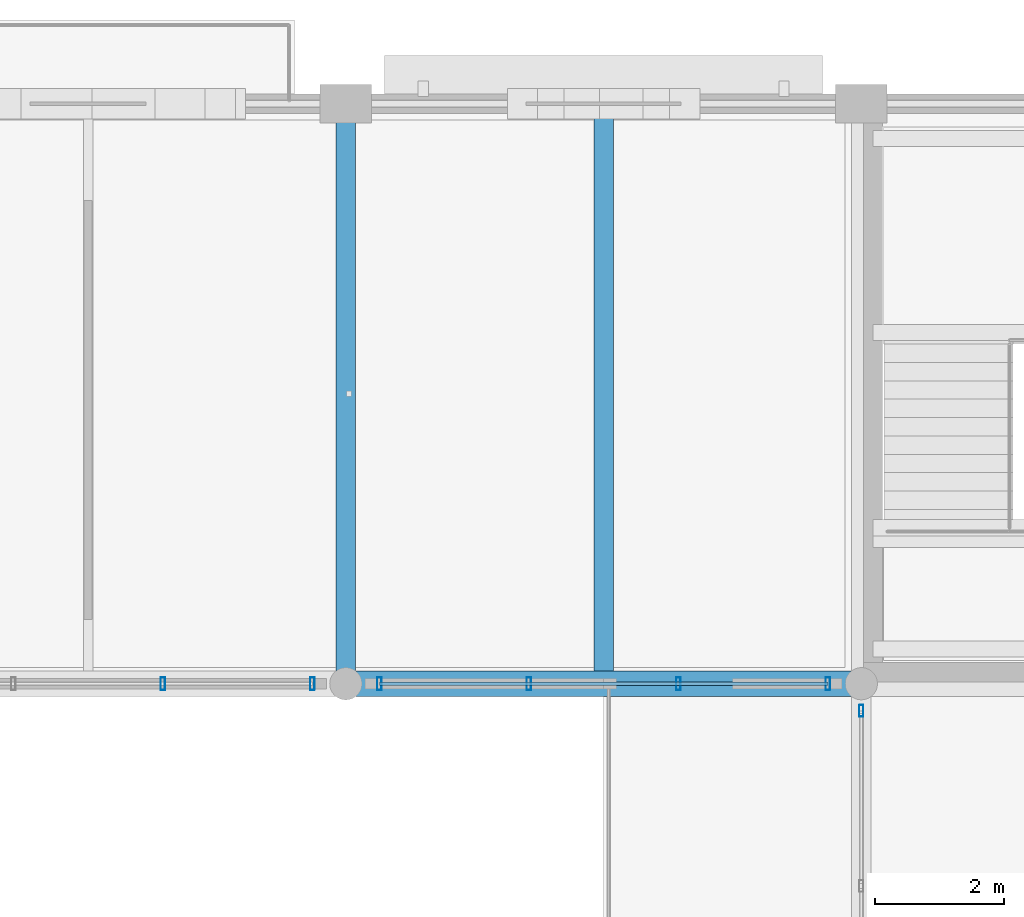
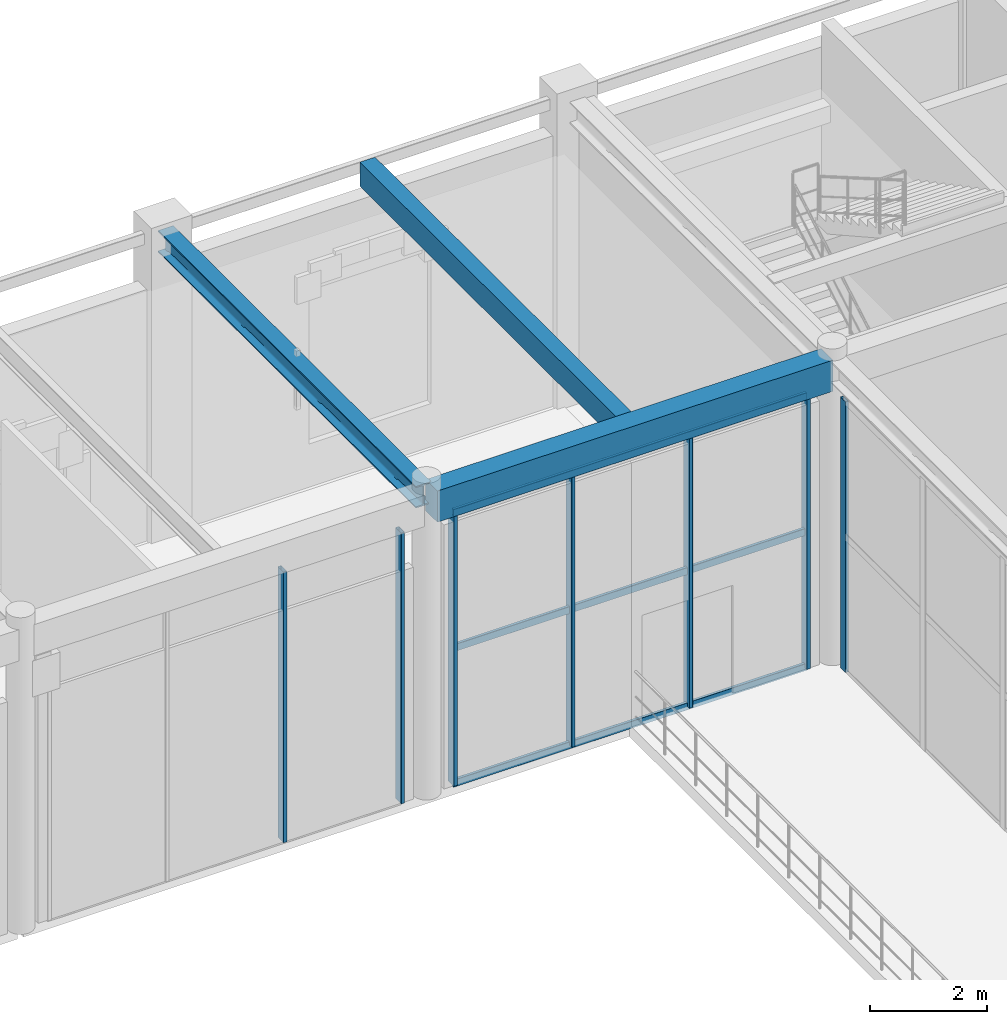
# One storey, part 91 of 163: 10 members, 3 beams, 3 elements without a shape of their own.
"""IFC4 building model written with IfcOpenShell, lengths in metres."""

from ifc_helpers import new_model, si_unit, direction, frame, origin, origin_2d, place, context, subcontext, project, spatial, rectangle, hollow_rectangle, i_section, extrude, material, material_profile, profile_set, type_object, element, aggregate, save


model = new_model("IFC4")

# Units and contexts
model_context = context("Model", 3, precision=1e-05, world=origin(), true_north=direction((0.0, 1.0)))
body_context = subcontext(model_context, "Body", "Model", "MODEL_VIEW")
ifc_project = project(units=[si_unit("LENGTHUNIT", "METRE"), si_unit("AREAUNIT", "SQUARE_METRE"), si_unit("VOLUMEUNIT", "CUBIC_METRE"), si_unit("PLANEANGLEUNIT", "RADIAN"), si_unit("MASSUNIT", "GRAM", prefix="KILO")], contexts=[model_context])

# Site, building, storey
site_placement = place(None, origin())
site = spatial("IfcSite", under=ifc_project, at=site_placement, CompositionType="ELEMENT")
building_placement = place(site_placement, origin())
building = spatial("IfcBuilding", under=site, at=building_placement, Name="Varnabhumi Central Station", CompositionType="ELEMENT")
storey_placement = place(building_placement, frame((0.0, 0.0, 9.60009765625)))
storey = spatial("IfcBuildingStorey", under=building, at=storey_placement, Name="L02", CompositionType="ELEMENT", Elevation=9.60009765625)

# Beams
ifc_material_1 = material(Name="Concrete M40", Category="concrete")
ifc_material_profile_1 = material_profile(ifc_material_1, rectangle(XDim=0.300048828125, YDim=0.5, at=origin_2d()), Name="Concrete M40", Category="concrete")
ifc_profile_set_1 = profile_set([ifc_material_profile_1], Name="Concrete M40")
beam_type_1 = type_object("IfcBeamType", Name="BM-RC-300x500", PredefinedType="JOIST", material=ifc_profile_set_1)
beam_1_placement = place(storey_placement, frame((76.0, 107.199951171875, 6.099853515625), z_axis=(0.0, 1.0, 0.0), x_axis=(-1.0, 0.0, 0.0)))
element("IfcBeam", 1, at=beam_1_placement, inside=storey, type_object=beam_type_1, Name="Secondary Joist L02-10/11:N-P", PredefinedType="JOIST", context=body_context, shape_type="SweptSolid", body=[
    extrude(rectangle(XDim=0.300048828125, YDim=0.5, at=origin_2d()), origin(), (0.0, 0.0, 1.0), 8.739990234375),
])
ifc_material_profile_2 = material_profile(ifc_material_1, rectangle(XDim=0.39990234375, YDim=0.64990234375, at=origin_2d()), Name="Concrete M40", Category="concrete")
ifc_profile_set_2 = profile_set([ifc_material_profile_2], Name="Concrete M40")
beam_type_2 = type_object("IfcBeamType", Name="BM-RC-400x650", PredefinedType="BEAM", material=ifc_profile_set_2)
beam_2_placement = place(storey_placement, frame((72.10009765625, 107.0, 6.02490234375), z_axis=(1.0, 0.0, 0.0), x_axis=(0.0, 1.0, 0.0)))
element("IfcBeam", 2, at=beam_2_placement, inside=storey, type_object=beam_type_2, Name="Beam L02-N:10-11", PredefinedType="BEAM", context=body_context, shape_type="SweptSolid", body=[
    extrude(rectangle(XDim=0.39990234375, YDim=0.64990234375, at=origin_2d()), origin(), (0.0, 0.0, 1.0), 7.7998046875),
])
ifc_material_2 = material(Name="Structural steel E350", Category="steel")
ifc_material_profile_3 = material_profile(ifc_material_2, i_section(OverallWidth=0.300048828125, OverallDepth=0.449951171875, WebThickness=0.013916015625, FlangeThickness=0.02587890625, FilletRadius=0.027099609375, at=origin_2d()), Name="Structural steel E350", Category="steel")
ifc_profile_set_3 = profile_set([ifc_material_profile_3], Name="Structural steel E350")
beam_type_3 = type_object("IfcBeamType", Name="BM-STL-WPB450", PredefinedType="BEAM", material=ifc_profile_set_3)
beam_3_placement = place(storey_placement, frame((72.0, 107.10009765625, 6.125), z_axis=(0.0, 1.0, 0.0), x_axis=(-1.0, 0.0, 0.0)))
element("IfcBeam", 3, at=beam_3_placement, inside=storey, type_object=beam_type_3, Name="Beam L02-10:N-P", PredefinedType="BEAM", context=body_context, shape_type="SweptSolid", body=[
    extrude(i_section(OverallWidth=0.300048828125, OverallDepth=0.449951171875, WebThickness=0.013916015625, FlangeThickness=0.02587890625, FilletRadius=0.027099609375, at=origin_2d()), origin(), (0.0, 0.0, 1.0), 8.7998046875),
])

# Curtain wall, member
ifc_material_3 = material(Name="Anodised aluminium 6063-T6", Category="aluminium")
curtain_wall_type = type_object("IfcCurtainWallType", Name="CW-PATIO-LOGGIA-L2", PredefinedType="NOTDEFINED", material=ifc_material_3)
curtain_wall_1_placement = place(storey_placement, origin())
curtain_wall_1 = element("IfcCurtainWall", 4, at=curtain_wall_1_placement, inside=storey, type_object=curtain_wall_type, Name="Curtain Wall CW-NP2W2", PredefinedType="NOTDEFINED")
ifc_material_profile_4 = material_profile(ifc_material_3, hollow_rectangle(XDim=0.06494140625, YDim=0.179931640625, WallThickness=0.00390625, InnerFilletRadius=0.001953125, OuterFilletRadius=0.006103515625, at=origin_2d()), Name="Anodised aluminium 6063-T6", Category="aluminium")
ifc_profile_set_4 = profile_set([ifc_material_profile_4], Name="Anodised aluminium 6063-T6")
member_type_1 = type_object("IfcMemberType", Name="CW-MUL-180", PredefinedType="MULLION", material=ifc_profile_set_4)
member_1_placement = place(storey_placement, frame((80.0, 106.580078125, 0.0), z_axis=(0.0, 0.0, 1.0), x_axis=(1.0, 0.0, 0.0)))
member_1 = element("IfcMember", 5, at=member_1_placement, type_object=member_type_1, Name="Curtain Wall Mullion CW-NP2W2-M4", PredefinedType="MULLION", context=body_context, shape_type="SweptSolid", body=[
    extrude(hollow_rectangle(XDim=0.06494140625, YDim=0.179931640625, WallThickness=0.00390625, InnerFilletRadius=0.001953125, OuterFilletRadius=0.006103515625, at=origin_2d()), origin(), (0.0, 0.0, 1.0), 5.639892578125),
])
aggregate(curtain_wall_1, [member_1])

# Curtain wall, members
curtain_wall_2_placement = place(storey_placement, origin())
curtain_wall_2 = element("IfcCurtainWall", 6, at=curtain_wall_2_placement, inside=storey, type_object=curtain_wall_type, Name="Curtain Wall CW-NP2N3", PredefinedType="NOTDEFINED")
ifc_material_profile_5 = material_profile(ifc_material_3, hollow_rectangle(XDim=0.070068359375, YDim=0.199951171875, WallThickness=0.00439453125, InnerFilletRadius=0.00146484375, OuterFilletRadius=0.006103515625, at=origin_2d()), Name="Anodised aluminium 6063-T6", Category="aluminium")
ifc_profile_set_5 = profile_set([ifc_material_profile_5], Name="Anodised aluminium 6063-T6")
member_type_2 = type_object("IfcMemberType", Name="CW-MUL-200", PredefinedType="MULLION", material=ifc_profile_set_5)
member_2_placement = place(storey_placement, frame((69.159912109375, 107.0, 0.0), z_axis=(0.0, 0.0, 1.0), x_axis=(1.0, 0.0, 0.0)))
member_2 = element("IfcMember", 7, at=member_2_placement, type_object=member_type_2, Name="Curtain Wall Mullion CW-NP2N3-M3", PredefinedType="MULLION", context=body_context, shape_type="SweptSolid", body=[
    extrude(hollow_rectangle(XDim=0.070068359375, YDim=0.199951171875, WallThickness=0.00439453125, InnerFilletRadius=0.00146484375, OuterFilletRadius=0.006103515625, at=origin_2d()), origin(), (0.0, 0.0, 1.0), 5.639892578125),
])
member_3_placement = place(storey_placement, frame((71.47998046875, 107.0, 0.0), z_axis=(0.0, 0.0, 1.0), x_axis=(1.0, 0.0, 0.0)))
member_3 = element("IfcMember", 8, at=member_3_placement, type_object=member_type_2, Name="Curtain Wall Mullion CW-NP2N3-M4", PredefinedType="MULLION", context=body_context, shape_type="SweptSolid", body=[
    extrude(hollow_rectangle(XDim=0.070068359375, YDim=0.199951171875, WallThickness=0.00439453125, InnerFilletRadius=0.00146484375, OuterFilletRadius=0.006103515625, at=origin_2d()), origin(), (0.0, 0.0, 1.0), 5.639892578125),
])
aggregate(curtain_wall_2, [member_2, member_3])

curtain_wall_3_placement = place(storey_placement, origin())
curtain_wall_3 = element("IfcCurtainWall", 9, at=curtain_wall_3_placement, inside=storey, type_object=curtain_wall_type, Name="Curtain Wall CW-NP2N4", PredefinedType="NOTDEFINED")
member_4_placement = place(storey_placement, frame((72.52001953125, 107.0, 0.0), z_axis=(0.0, 0.0, 1.0), x_axis=(1.0, 0.0, 0.0)))
member_4 = element("IfcMember", 10, at=member_4_placement, type_object=member_type_2, Name="Curtain Wall Mullion CW-NP2N4-M1", PredefinedType="MULLION", context=body_context, shape_type="SweptSolid", body=[
    extrude(hollow_rectangle(XDim=0.070068359375, YDim=0.199951171875, WallThickness=0.00439453125, InnerFilletRadius=0.00146484375, OuterFilletRadius=0.006103515625, at=origin_2d()), origin(), (0.0, 0.0, 1.0), 5.639892578125),
])
member_5_placement = place(storey_placement, frame((74.840087890625, 107.0, 0.0), z_axis=(0.0, 0.0, 1.0), x_axis=(1.0, 0.0, 0.0)))
member_5 = element("IfcMember", 11, at=member_5_placement, type_object=member_type_2, Name="Curtain Wall Mullion CW-NP2N4-M2", PredefinedType="MULLION", context=body_context, shape_type="SweptSolid", body=[
    extrude(hollow_rectangle(XDim=0.070068359375, YDim=0.199951171875, WallThickness=0.00439453125, InnerFilletRadius=0.00146484375, OuterFilletRadius=0.006103515625, at=origin_2d()), origin(), (0.0, 0.0, 1.0), 5.639892578125),
])
member_6_placement = place(storey_placement, frame((77.159912109375, 107.0, 0.0), z_axis=(0.0, 0.0, 1.0), x_axis=(1.0, 0.0, 0.0)))
member_6 = element("IfcMember", 12, at=member_6_placement, type_object=member_type_2, Name="Curtain Wall Mullion CW-NP2N4-M3", PredefinedType="MULLION", context=body_context, shape_type="SweptSolid", body=[
    extrude(hollow_rectangle(XDim=0.070068359375, YDim=0.199951171875, WallThickness=0.00439453125, InnerFilletRadius=0.00146484375, OuterFilletRadius=0.006103515625, at=origin_2d()), origin(), (0.0, 0.0, 1.0), 5.639892578125),
])
member_7_placement = place(storey_placement, frame((79.47998046875, 107.0, 0.0), z_axis=(0.0, 0.0, 1.0), x_axis=(1.0, 0.0, 0.0)))
member_7 = element("IfcMember", 13, at=member_7_placement, type_object=member_type_2, Name="Curtain Wall Mullion CW-NP2N4-M4", PredefinedType="MULLION", context=body_context, shape_type="SweptSolid", body=[
    extrude(hollow_rectangle(XDim=0.070068359375, YDim=0.199951171875, WallThickness=0.00439453125, InnerFilletRadius=0.00146484375, OuterFilletRadius=0.006103515625, at=origin_2d()), origin(), (0.0, 0.0, 1.0), 5.639892578125),
])
ifc_material_profile_6 = material_profile(ifc_material_3, hollow_rectangle(XDim=0.06005859375, YDim=0.14990234375, WallThickness=0.00390625, InnerFilletRadius=0.001953125, OuterFilletRadius=0.006103515625, at=origin_2d()), Name="Anodised aluminium 6063-T6", Category="aluminium")
ifc_profile_set_6 = profile_set([ifc_material_profile_6], Name="Anodised aluminium 6063-T6")
member_type_3 = type_object("IfcMemberType", Name="CW-TR-150", PredefinedType="USERDEFINED", material=ifc_profile_set_6)
member_8_placement = place(storey_placement, frame((72.52001953125, 107.0, 0.0), z_axis=(1.0, 0.0, 0.0), x_axis=(0.0, 1.0, 0.0)))
member_8 = element("IfcMember", 14, at=member_8_placement, type_object=member_type_3, Name="Curtain Wall Transom CW-NP2N4-T1", ObjectType="TRANSOM", PredefinedType="USERDEFINED", context=body_context, shape_type="SweptSolid", body=[
    extrude(hollow_rectangle(XDim=0.06005859375, YDim=0.14990234375, WallThickness=0.00390625, InnerFilletRadius=0.001953125, OuterFilletRadius=0.006103515625, at=origin_2d()), origin(), (0.0, 0.0, 1.0), 6.9599609375),
])
member_9_placement = place(storey_placement, frame((72.52001953125, 107.0, 2.81982421875), z_axis=(1.0, 0.0, 0.0), x_axis=(0.0, 1.0, 0.0)))
member_9 = element("IfcMember", 15, at=member_9_placement, type_object=member_type_3, Name="Curtain Wall Transom CW-NP2N4-T2", ObjectType="TRANSOM", PredefinedType="USERDEFINED", context=body_context, shape_type="SweptSolid", body=[
    extrude(hollow_rectangle(XDim=0.06005859375, YDim=0.14990234375, WallThickness=0.00390625, InnerFilletRadius=0.001953125, OuterFilletRadius=0.006103515625, at=origin_2d()), origin(), (0.0, 0.0, 1.0), 6.9599609375),
])
member_10_placement = place(storey_placement, frame((72.52001953125, 107.0, 5.639892578125), z_axis=(1.0, 0.0, 0.0), x_axis=(0.0, 1.0, 0.0)))
member_10 = element("IfcMember", 16, at=member_10_placement, type_object=member_type_3, Name="Curtain Wall Transom CW-NP2N4-T3", ObjectType="TRANSOM", PredefinedType="USERDEFINED", context=body_context, shape_type="SweptSolid", body=[
    extrude(hollow_rectangle(XDim=0.06005859375, YDim=0.14990234375, WallThickness=0.00390625, InnerFilletRadius=0.001953125, OuterFilletRadius=0.006103515625, at=origin_2d()), origin(), (0.0, 0.0, 1.0), 6.9599609375),
])
aggregate(curtain_wall_3, [member_4, member_5, member_6, member_7, member_8, member_9, member_10])

save(model, "model.ifc")
